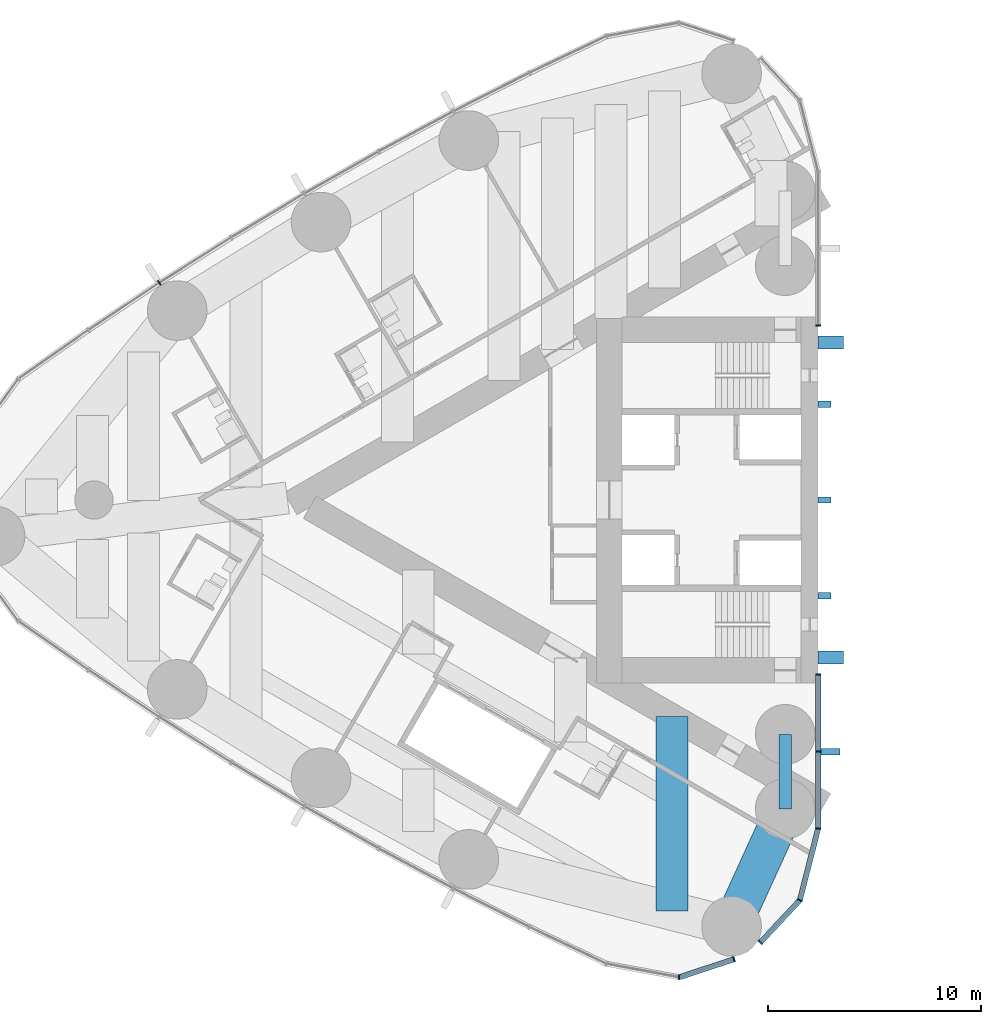
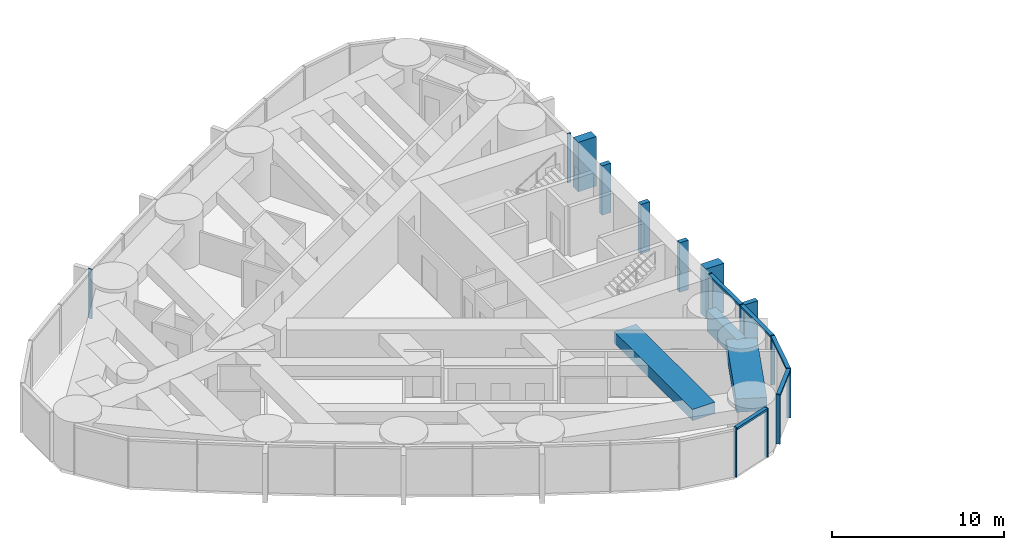
# One storey, part 4 of 19: 20 members, 3 beams, 4 elements without a shape of their own.
"""IFC4 building model written with IfcOpenShell, lengths in metres."""

from ifc_helpers import new_model, si_unit, direction, frame, origin, origin_2d, place, context, subcontext, project, spatial, rectangle, hollow_rectangle, extrude, material, material_profile, profile_set, type_object, element, aggregate, save


model = new_model("IFC4")

# Units and contexts
model_context = context("Model", 3, precision=1e-05, world=origin(), true_north=direction((0.0, 1.0)))
body_context = subcontext(model_context, "Body", "Model", "MODEL_VIEW")
ifc_project = project(units=[si_unit("LENGTHUNIT", "METRE"), si_unit("AREAUNIT", "SQUARE_METRE"), si_unit("VOLUMEUNIT", "CUBIC_METRE"), si_unit("PLANEANGLEUNIT", "RADIAN"), si_unit("MASSUNIT", "GRAM", prefix="KILO")], contexts=[model_context])

# Site, building, storey
site_placement = place(None, origin())
site = spatial("IfcSite", under=ifc_project, at=site_placement, CompositionType="ELEMENT")
building_placement = place(site_placement, origin())
building = spatial("IfcBuilding", under=site, at=building_placement, Name="Lancet Gate Hotel", CompositionType="ELEMENT")
storey_placement = place(building_placement, frame((0.0, 0.0, 173.800048828125)))
storey = spatial("IfcBuildingStorey", under=building, at=storey_placement, Name="L46", CompositionType="ELEMENT", Elevation=173.800048828125)

# Curtain wall, member
ifc_material_1 = material(Name="Aluminium curtain wall", Category="aluminium")
curtain_wall_type = type_object("IfcCurtainWallType", Name="Tower unitised curtain wall", PredefinedType="USERDEFINED", material=ifc_material_1)
curtain_wall_1_placement = place(storey_placement, origin())
curtain_wall_1 = element("IfcCurtainWall", 1, at=curtain_wall_1_placement, inside=storey, type_object=curtain_wall_type, Name="T1 L46 curtain wall 1", ObjectType="UNITISED CURTAIN WALL", PredefinedType="USERDEFINED")
ifc_material_2 = material(Name="Aluminium mullion", Category="aluminium")
ifc_material_profile_1 = material_profile(ifc_material_2, rectangle(XDim=0.06494140625, YDim=0.25, at=origin_2d()), Name="MULLION 65x250")
ifc_profile_set_1 = profile_set([ifc_material_profile_1], Name="Aluminium mullion")
member_type_1 = type_object("IfcMemberType", Name="Aluminium mullion 65x250", PredefinedType="MULLION", material=ifc_profile_set_1)
member_1_placement = place(storey_placement, frame((-27.5, 8.199951171875, 0.0), z_axis=(0.0, 0.0, 1.0), x_axis=(0.0, 1.0, 0.0)))
member_1 = element("IfcMember", 2, at=member_1_placement, type_object=member_type_1, Name="T1 L46 curtain wall 1 mullion 1", PredefinedType="MULLION", context=body_context, shape_type="SweptSolid", body=[
    extrude(rectangle(XDim=0.06494140625, YDim=0.25, at=origin_2d()), origin(), (0.0, 0.0, 1.0), 3.5),
])
aggregate(curtain_wall_1, [member_1])

curtain_wall_2_placement = place(storey_placement, origin())
curtain_wall_2 = element("IfcCurtainWall", 3, at=curtain_wall_2_placement, inside=storey, type_object=curtain_wall_type, Name="T1 L46 curtain wall 2", ObjectType="UNITISED CURTAIN WALL", PredefinedType="USERDEFINED")
member_2_placement = place(storey_placement, frame((-58.43212890625, 10.194091796875, 0.0), z_axis=(0.0, 0.0, 1.0), x_axis=(-0.839331119324, -0.54362052218, 0.0)))
member_2 = element("IfcMember", 4, at=member_2_placement, type_object=member_type_1, Name="T1 L46 curtain wall 2 mullion 9", PredefinedType="MULLION", context=body_context, shape_type="SweptSolid", body=[
    extrude(rectangle(XDim=0.06494140625, YDim=0.25, at=origin_2d()), origin(), (0.0, 0.0, 1.0), 3.5),
])
aggregate(curtain_wall_2, [member_2])

# Curtain wall, members
curtain_wall_3_placement = place(storey_placement, origin())
curtain_wall_3 = element("IfcCurtainWall", 5, at=curtain_wall_3_placement, inside=storey, type_object=curtain_wall_type, Name="T1 L46 curtain wall 3", ObjectType="UNITISED CURTAIN WALL", PredefinedType="USERDEFINED")
member_3_placement = place(storey_placement, frame((-34.02783203125, -22.407470703125, 0.0), z_axis=(0.0, 0.0, 1.0), x_axis=(0.999350473622, 0.036036521361, 0.0)))
member_3 = element("IfcMember", 6, at=member_3_placement, type_object=member_type_1, Name="T1 L46 curtain wall 3 mullion 11", PredefinedType="MULLION", context=body_context, shape_type="SweptSolid", body=[
    extrude(rectangle(XDim=0.06494140625, YDim=0.25, at=origin_2d()), origin(), (0.0, 0.0, 1.0), 3.5),
])
member_4_placement = place(storey_placement, frame((-31.45263671875, -21.5595703125, 0.0), z_axis=(0.0, 0.0, 1.0), x_axis=(0.949848055084, 0.312711803827, 0.0)))
member_4 = element("IfcMember", 7, at=member_4_placement, type_object=member_type_1, Name="T1 L46 curtain wall 3 mullion 12", PredefinedType="MULLION", context=body_context, shape_type="SweptSolid", body=[
    extrude(rectangle(XDim=0.06494140625, YDim=0.25, at=origin_2d()), origin(), (0.0, 0.0, 1.0), 3.5),
])

curtain_wall_4_placement = place(storey_placement, origin())
curtain_wall_4 = element("IfcCurtainWall", 8, at=curtain_wall_4_placement, inside=storey, type_object=curtain_wall_type, Name="T1 L46 curtain wall 4", ObjectType="UNITISED CURTAIN WALL", PredefinedType="USERDEFINED")
member_5_placement = place(storey_placement, frame((-30.210693359375, -20.765625, 0.0), z_axis=(0.0, 0.0, 1.0), x_axis=(0.682844962172, 0.730563315282, 0.0)))
member_5 = element("IfcMember", 9, at=member_5_placement, type_object=member_type_1, Name="T1 L46 curtain wall 4 mullion 1", PredefinedType="MULLION", context=body_context, shape_type="SweptSolid", body=[
    extrude(rectangle(XDim=0.06494140625, YDim=0.25, at=origin_2d()), origin(), (0.0, 0.0, 1.0), 3.5),
])
member_6_placement = place(storey_placement, frame((-28.360595703125, -18.7861328125, 0.0), z_axis=(0.0, 0.0, 1.0), x_axis=(0.452507601198, 0.891760545695, 0.0)))
member_6 = element("IfcMember", 10, at=member_6_placement, type_object=member_type_1, Name="T1 L46 curtain wall 4 mullion 2", PredefinedType="MULLION", context=body_context, shape_type="SweptSolid", body=[
    extrude(rectangle(XDim=0.06494140625, YDim=0.25, at=origin_2d()), origin(), (0.0, 0.0, 1.0), 3.5),
])
member_7_placement = place(storey_placement, frame((-27.5, -15.42333984375, 0.0), z_axis=(0.0, 0.0, 1.0), x_axis=(0.122467472845, 0.992472527627, 0.0)))
member_7 = element("IfcMember", 11, at=member_7_placement, type_object=member_type_1, Name="T1 L46 curtain wall 4 mullion 3", PredefinedType="MULLION", context=body_context, shape_type="SweptSolid", body=[
    extrude(rectangle(XDim=0.06494140625, YDim=0.25, at=origin_2d()), origin(), (0.0, 0.0, 1.0), 3.5),
])
member_8_placement = place(storey_placement, frame((-27.5, -11.811767578125, 0.0), z_axis=(0.0, 0.0, 1.0), x_axis=(0.0, 1.0, 0.0)))
member_8 = element("IfcMember", 12, at=member_8_placement, type_object=member_type_1, Name="T1 L46 curtain wall 4 mullion 4", PredefinedType="MULLION", context=body_context, shape_type="SweptSolid", body=[
    extrude(rectangle(XDim=0.06494140625, YDim=0.25, at=origin_2d()), origin(), (0.0, 0.0, 1.0), 3.5),
])
member_9_placement = place(storey_placement, frame((-27.5, -8.199951171875, 0.0), z_axis=(0.0, 0.0, 1.0), x_axis=(0.0, 1.0, 0.0)))
member_9 = element("IfcMember", 13, at=member_9_placement, type_object=member_type_1, Name="T1 L46 curtain wall 4 mullion 5", PredefinedType="MULLION", context=body_context, shape_type="SweptSolid", body=[
    extrude(rectangle(XDim=0.06494140625, YDim=0.25, at=origin_2d()), origin(), (0.0, 0.0, 1.0), 3.5),
])

# Member
ifc_material_3 = material(Name="Aluminium transom", Category="aluminium")
ifc_material_profile_2 = material_profile(ifc_material_3, rectangle(XDim=0.25, YDim=0.14990234375, at=origin_2d()), Name="TRANSOM 250x150")
ifc_profile_set_2 = profile_set([ifc_material_profile_2], Name="Aluminium transom")
member_type_2 = type_object("IfcMemberType", Name="Aluminium transom 250x150", PredefinedType="USERDEFINED", material=ifc_profile_set_2)
member_10_placement = place(storey_placement, frame((-33.9970703125, -22.397216796875, 3.425048828125), z_axis=(0.949857661259, 0.312682623993, 0.0), x_axis=(-0.312682623993, 0.949857661259, 0.0)))
member_10 = element("IfcMember", 14, at=member_10_placement, type_object=member_type_2, Name="T1 L46 curtain wall 3 transom 11", ObjectType="TRANSOM", PredefinedType="USERDEFINED", context=body_context, shape_type="SweptSolid", body=[
    extrude(rectangle(XDim=0.25, YDim=0.14990234375, at=origin_2d()), origin(), (0.0, 0.0, 1.0), 2.64599609375),
])

aggregate(curtain_wall_3, [member_3, member_4, member_10])

member_11_placement = place(storey_placement, frame((-30.188720703125, -20.741943359375, 3.425048828125), z_axis=(0.682841037959, 0.730566983157, 0.0), x_axis=(-0.730566983157, 0.682841037959, 0.0)))
member_11 = element("IfcMember", 15, at=member_11_placement, type_object=member_type_2, Name="T1 L46 curtain wall 4 transom 1", ObjectType="TRANSOM", PredefinedType="USERDEFINED", context=body_context, shape_type="SweptSolid", body=[
    extrude(rectangle(XDim=0.25, YDim=0.14990234375, at=origin_2d()), origin(), (0.0, 0.0, 1.0), 2.644775390625),
])

member_12_placement = place(storey_placement, frame((-28.3525390625, -18.754638671875, 3.425048828125), z_axis=(0.247928683912, 0.968778286139, 0.0), x_axis=(-0.968778286139, 0.247928683912, 0.0)))
member_12 = element("IfcMember", 16, at=member_12_placement, type_object=member_type_2, Name="T1 L46 curtain wall 4 transom 2", ObjectType="TRANSOM", PredefinedType="USERDEFINED", context=body_context, shape_type="SweptSolid", body=[
    extrude(rectangle(XDim=0.25, YDim=0.14990234375, at=origin_2d()), origin(), (0.0, 0.0, 1.0), 3.40625),
])

member_13_placement = place(storey_placement, frame((-27.5, -15.390869140625, 3.425048828125), z_axis=(0.0, 1.0, 0.0), x_axis=(-1.0, 0.0, 0.0)))
member_13 = element("IfcMember", 17, at=member_13_placement, type_object=member_type_2, Name="T1 L46 curtain wall 4 transom 3", ObjectType="TRANSOM", PredefinedType="USERDEFINED", context=body_context, shape_type="SweptSolid", body=[
    extrude(rectangle(XDim=0.25, YDim=0.14990234375, at=origin_2d()), origin(), (0.0, 0.0, 1.0), 3.546630859375),
])

member_14_placement = place(storey_placement, frame((-27.5, -11.779296875, 3.425048828125), z_axis=(0.0, 1.0, 0.0), x_axis=(-1.0, 0.0, 0.0)))
member_14 = element("IfcMember", 18, at=member_14_placement, type_object=member_type_2, Name="T1 L46 curtain wall 4 transom 4", ObjectType="TRANSOM", PredefinedType="USERDEFINED", context=body_context, shape_type="SweptSolid", body=[
    extrude(rectangle(XDim=0.25, YDim=0.14990234375, at=origin_2d()), origin(), (0.0, 0.0, 1.0), 3.546875),
])

# Beam
ifc_material_4 = material(Name="Concrete C50/60", Category="concrete")
ifc_material_profile_3 = material_profile(ifc_material_4, rectangle(XDim=1.800048828125, YDim=0.949951171875, at=origin_2d()), Name="RC 1800x950")
ifc_profile_set_3 = profile_set([ifc_material_profile_3], Name="Concrete C50/60")
beam_type_1 = type_object("IfcBeamType", Name="Edge beam RC 1800x950", PredefinedType="SPANDREL", material=ifc_profile_set_3)
beam_1_placement = place(storey_placement, frame((-29.050048828125, -14.5, 2.77490234375), z_axis=(-0.414919206993, -0.909858259109, 0.0), x_axis=(0.909858259109, -0.414919206993, 0.0)))
element("IfcBeam", 19, at=beam_1_placement, inside=storey, type_object=beam_type_1, Name="T1 edge beam EB1 L46", PredefinedType="SPANDREL", context=body_context, shape_type="SweptSolid", body=[
    extrude(rectangle(XDim=1.800048828125, YDim=0.949951171875, at=origin_2d()), origin(), (0.0, 0.0, 1.0), 6.062255859375),
])

# Members
ifc_material_5 = material(Name="Concrete C60/75", Category="concrete")
ifc_material_profile_4 = material_profile(ifc_material_5, rectangle(XDim=0.60009765625, YDim=1.199951171875, at=origin_2d()), Name="FIN 600x1200")
ifc_profile_set_4 = profile_set([ifc_material_profile_4], Name="Concrete C60/75")
member_type_3 = type_object("IfcMemberType", Name="Exposed concrete buttress pilaster 600x1200", PredefinedType="USERDEFINED", material=ifc_profile_set_4)
for number, where, z_axis, x_axis, name in (
    (20, (-26.909912109375, 7.39990234375, 0.0), (0.0, 0.0, 1.0), (0.0, 1.0, 0.0), "T1 buttress pilaster S L46"),
    (21, (-26.909912109375, -7.39990234375, 0.0), (0.0, 0.0, 1.0), (0.0, 1.0, 0.0), "T1 buttress pilaster N L46"),
):
    element("IfcMember", number, at=place(storey_placement, frame(where, z_axis=z_axis, x_axis=x_axis)), inside=storey, type_object=member_type_3, Name=name, ObjectType="FIN", PredefinedType="USERDEFINED", context=body_context, shape_type="SweptSolid", body=[
        extrude(rectangle(XDim=0.60009765625, YDim=1.199951171875, at=origin_2d()), origin(), (0.0, 0.0, 1.0), 3.5),
    ])

# Member
ifc_material_6 = material(Name="Precast concrete C50/60", Category="concrete")
ifc_material_profile_5 = material_profile(ifc_material_6, rectangle(XDim=0.300048828125, YDim=0.89990234375, at=origin_2d()), Name="FIN 300x900")
ifc_profile_set_5 = profile_set([ifc_material_profile_5], Name="Precast concrete C50/60")
member_type_4 = type_object("IfcMemberType", Name="Exposed concrete fin 300x900", PredefinedType="USERDEFINED", material=ifc_profile_set_5)
member_15_placement = place(storey_placement, frame((-26.925048828125, -11.811767578125, 0.0), z_axis=(0.0, 0.0, 1.0), x_axis=(0.0, 1.0, 0.0)))
member_15 = element("IfcMember", 22, at=member_15_placement, type_object=member_type_4, Name="T1 L46 curtain wall 4 fin 4", ObjectType="FIN", PredefinedType="USERDEFINED", context=body_context, shape_type="SweptSolid", body=[
    extrude(rectangle(XDim=0.300048828125, YDim=0.89990234375, at=origin_2d()), origin(), (0.0, 0.0, 1.0), 3.5),
])

aggregate(curtain_wall_4, [member_5, member_6, member_7, member_8, member_15, member_9, member_11, member_12, member_13, member_14])

# Members
ifc_material_7 = material(Name="Concrete C60/75", Category="concrete")
ifc_material_profile_6 = material_profile(ifc_material_7, rectangle(XDim=0.300048828125, YDim=0.60009765625, at=origin_2d()), Name="FIN 300x600")
ifc_profile_set_6 = profile_set([ifc_material_profile_6], Name="Concrete C60/75")
member_type_5 = type_object("IfcMemberType", Name="Exposed concrete rib 300x600", PredefinedType="USERDEFINED", material=ifc_profile_set_6)
for number, where, z_axis, x_axis, name in (
    (23, (-27.2099609375, 4.5, 0.0), (0.0, 0.0, 1.0), (0.0, 1.0, 0.0), "T1 core rib 1 L46"),
    (24, (-27.2099609375, 0.0, 0.0), (0.0, 0.0, 1.0), (0.0, 1.0, 0.0), "T1 core rib 2 L46"),
    (25, (-27.2099609375, -4.5, 0.0), (0.0, 0.0, 1.0), (0.0, 1.0, 0.0), "T1 core rib 3 L46"),
):
    element("IfcMember", number, at=place(storey_placement, frame(where, z_axis=z_axis, x_axis=x_axis)), inside=storey, type_object=member_type_5, Name=name, ObjectType="FIN", PredefinedType="USERDEFINED", context=body_context, shape_type="SweptSolid", body=[
        extrude(rectangle(XDim=0.300048828125, YDim=0.60009765625, at=origin_2d()), origin(), (0.0, 0.0, 1.0), 3.5),
    ])

# Beams
ifc_material_8 = material(Name="Concrete C50/60", Category="concrete")
ifc_material_profile_7 = material_profile(ifc_material_8, rectangle(XDim=1.5, YDim=0.800048828125, at=origin_2d()), Name="RC 1500x800")
ifc_profile_set_7 = profile_set([ifc_material_profile_7], Name="Concrete C50/60")
beam_type_2 = type_object("IfcBeamType", Name="Floor beam RC 1500x800", PredefinedType="BEAM", material=ifc_profile_set_7)
beam_2_placement = place(storey_placement, frame((-34.353515625, -10.169921875, 2.849853515625), z_axis=(0.0, -1.0, 0.0), x_axis=(1.0, 0.0, 0.0)))
element("IfcBeam", 26, at=beam_2_placement, inside=storey, type_object=beam_type_2, Name="T1 floor beam F02N L46", PredefinedType="BEAM", context=body_context, shape_type="SweptSolid", body=[
    extrude(rectangle(XDim=1.5, YDim=0.800048828125, at=origin_2d()), origin(), (0.0, 0.0, 1.0), 9.13525390625),
])
ifc_material_9 = material(Name="Steel S460QL", Category="steel")
ifc_material_profile_8 = material_profile(ifc_material_9, hollow_rectangle(XDim=0.60009765625, YDim=1.5, WallThickness=0.050048828125, at=origin_2d()), Name="BOX 1500x600x50")
ifc_profile_set_8 = profile_set([ifc_material_profile_8], Name="Steel S460QL")
beam_type_3 = type_object("IfcBeamType", Name="Inner-face link beam BOX 1500x600x50", PredefinedType="BEAM", material=ifc_profile_set_8)
beam_3_placement = place(storey_placement, frame((-29.050048828125, -11.0, 2.5), z_axis=(0.0, -1.0, 0.0), x_axis=(1.0, 0.0, 0.0)))
element("IfcBeam", 27, at=beam_3_placement, inside=storey, type_object=beam_type_3, Name="T1 inner-face link beam LK1 L46", PredefinedType="BEAM", context=body_context, shape_type="SweptSolid", body=[
    extrude(hollow_rectangle(XDim=0.60009765625, YDim=1.5, WallThickness=0.050048828125, at=origin_2d()), origin(), (0.0, 0.0, 1.0), 3.5),
])

save(model, "model.ifc")
